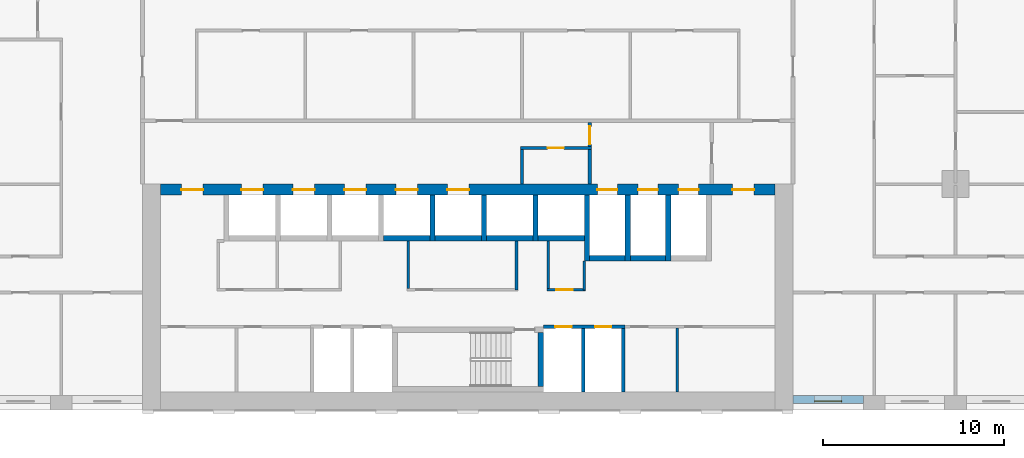
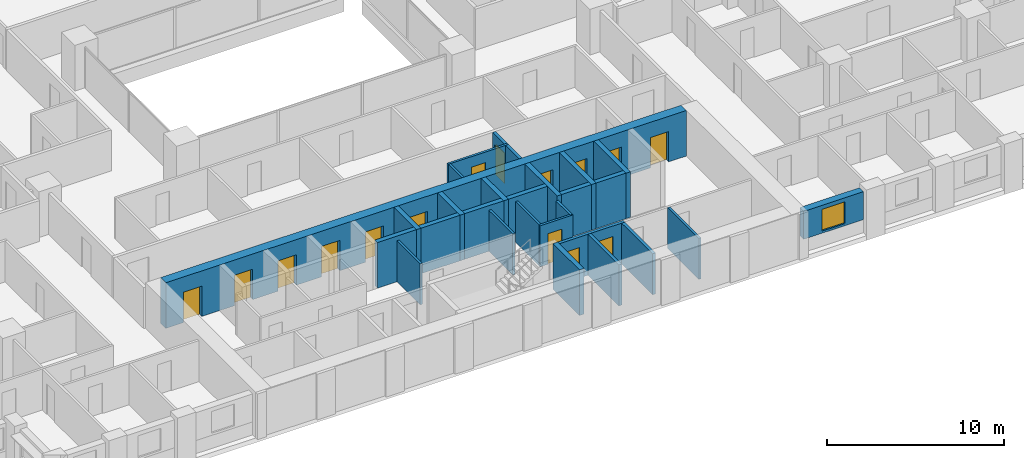
# One storey, part 11 of 19: 28 walls, 15 doors, 1 window, 16 openings.
"""IFC4 building model written with IfcOpenShell, lengths in metres."""

import ifcopenshell
import ifcopenshell.guid

model = None  # the IFC model being written
_history = None  # IfcOwnerHistory: only IFC2X3 demands one
_inside = {}  # id of a spatial element -> (the spatial element, [elements in it])
_under = {}  # id of a project, library or spatial element -> (it, [spatial elements below it])
_declared = {}  # id of a project -> (the project, [libraries it declares])
_typed = {}  # id of a type object -> (the type object, [elements of that type])
_made_of = {}  # id of a material, layer set ... -> (it, [elements and type objects made of it])


def new_model(schema):
    """Start an empty IFC model of exactly this schema.

    Asked for "IFC4X3", IfcOpenShell would pick the latest addendum, in which some entities
    have other attributes; the version numbers below select the first issue.
    IFC2X3 requires an IfcOwnerHistory on every rooted entity: one is made here for all.
    """
    global model, _history
    if schema == "IFC4X3":
        model = ifcopenshell.file(schema_version=(4, 3, 0, 0))
    else:
        model = ifcopenshell.file(schema=schema)
    _inside.clear()
    _under.clear()
    _declared.clear()
    _typed.clear()
    _made_of.clear()
    _history = None
    if model.schema == "IFC2X3":
        org = make("IfcOrganization", Name="unknown")
        user = make(
            "IfcPersonAndOrganization",
            ThePerson=make("IfcPerson", FamilyName="unknown"),
            TheOrganization=org,
        )
        app = make(
            "IfcApplication",
            ApplicationDeveloper=org,
            Version="unknown",
            ApplicationFullName="unknown",
            ApplicationIdentifier="unknown",
        )
        _history = make(
            "IfcOwnerHistory",
            OwningUser=user,
            OwningApplication=app,
            ChangeAction="ADDED",
            CreationDate=0,
        )
    return model


def make(cls, **values):
    """One entity of the class cls with the attributes given. An attribute that is None is left unset."""
    return model.create_entity(
        cls, **{name: value for name, value in values.items() if value is not None}
    )


def rooted(cls, **values):
    """An entity with a GlobalId (a new one), such as an element, a storey or a relation."""
    return make(cls, GlobalId=ifcopenshell.guid.new(), OwnerHistory=_history, **values)


def si_unit(unit_type, name, prefix=None):
    """IfcSIUnit, for example si_unit("LENGTHUNIT", "METRE", prefix="MILLI")."""
    return make("IfcSIUnit", UnitType=unit_type, Prefix=prefix, Name=name)


def assignment(units):
    """IfcUnitAssignment: the units of a project."""
    return None if units is None else make("IfcUnitAssignment", Units=units)


def point(xyz):
    """IfcCartesianPoint."""
    return None if xyz is None else make("IfcCartesianPoint", Coordinates=xyz)


def direction(xyz):
    """IfcDirection."""
    return None if xyz is None else make("IfcDirection", DirectionRatios=xyz)


def frame(location, z_axis=None, x_axis=None):
    """IfcAxis2Placement3D, a coordinate frame: its origin and axes. An axis left out is left unset."""
    return make(
        "IfcAxis2Placement3D",
        Location=point(location),
        Axis=direction(z_axis),
        RefDirection=direction(x_axis),
    )


def frame_2d(location, x_axis=None):
    """IfcAxis2Placement2D, a coordinate frame in the plane: its origin and x axis."""
    return make(
        "IfcAxis2Placement2D", Location=point(location), RefDirection=direction(x_axis)
    )


def origin():
    """The frame at (0, 0, 0) with its axes left unset."""
    return frame((0.0, 0.0, 0.0))


def place(relative_to, where):
    """IfcLocalPlacement: puts the frame where relative to a parent placement (None: the world)."""
    return make(
        "IfcLocalPlacement", PlacementRelTo=relative_to, RelativePlacement=where
    )


def context(
    kind, dimensions, precision=None, world=None, true_north=None, identifier=None
):
    """IfcGeometricRepresentationContext, for example the 3D "Model" context."""
    return make(
        "IfcGeometricRepresentationContext",
        ContextIdentifier=identifier,
        ContextType=kind,
        CoordinateSpaceDimension=dimensions,
        Precision=precision,
        WorldCoordinateSystem=world,
        TrueNorth=true_north,
    )


def subcontext(parent, identifier, kind, view, scale=None):
    """IfcGeometricRepresentationSubContext, for example "Body" below "Model"."""
    return make(
        "IfcGeometricRepresentationSubContext",
        ContextIdentifier=identifier,
        ContextType=kind,
        ParentContext=parent,
        TargetScale=scale,
        TargetView=view,
    )


def project(units=None, contexts=None):
    """IfcProject with its units and contexts."""
    return rooted(
        "IfcProject",
        Name="project",
        RepresentationContexts=contexts,
        UnitsInContext=assignment(units),
    )


def spatial(cls, under=None, at=None, **own):
    """A site, building, storey or space (cls), placed at a placement, below another one or the project."""
    s = rooted(cls, ObjectPlacement=at, **own)
    if under is not None:
        _under.setdefault(under.id(), (under, []))[1].append(s)
    return s


def profile(cls, at=None, kind="AREA", **sizes):
    """A parametric profile (cls). Its sizes go by their IFC names, for example OverallWidth=200.0."""
    return make(cls, ProfileType=kind, Position=at, **sizes)


def rectangle(**sizes):
    """IfcRectangleProfileDef."""
    return profile("IfcRectangleProfileDef", **sizes)


def extrude(swept, where, along, depth):
    """IfcExtrudedAreaSolid: the profile swept, set in the frame where, extruded along a direction by depth."""
    return make(
        "IfcExtrudedAreaSolid",
        SweptArea=swept,
        Position=where,
        ExtrudedDirection=direction(along),
        Depth=depth,
    )


def shape(context_of_items, identifier, shape_type, items):
    """IfcShapeRepresentation: the items that make up one representation, for example the "Body"."""
    return make(
        "IfcShapeRepresentation",
        ContextOfItems=context_of_items,
        RepresentationIdentifier=identifier,
        RepresentationType=shape_type,
        Items=items,
    )


def material(Name=None, Category=None):
    """IfcMaterial."""
    return make("IfcMaterial", Name=Name, Category=Category)


def layer(
    of_material, thickness, ventilated=None, Name=None, Category=None, Priority=None
):
    """IfcMaterialLayer: one layer of a wall or slab, of a material (None: an air gap)."""
    return make(
        "IfcMaterialLayer",
        Material=of_material,
        LayerThickness=thickness,
        IsVentilated=ventilated,
        Name=Name,
        Category=Category,
        Priority=Priority,
    )


def layer_set(layers, Name=None):
    """IfcMaterialLayerSet."""
    return make("IfcMaterialLayerSet", MaterialLayers=layers, LayerSetName=Name)


def made_of(thing, what):
    """Note that an element or type object is made of a material, layer set ...; save() writes the relation."""
    if what is not None:
        _made_of.setdefault(what.id(), (what, []))[1].append(thing)
    return thing


def type_object(cls, material=None, **own):
    """A type object (cls), such as IfcWallType, which elements share."""
    return made_of(rooted(cls, **own), material)


def element(
    cls,
    number,
    at=None,
    inside=None,
    cuts=None,
    type_object=None,
    material=None,
    context=None,
    identifier="Body",
    shape_type=None,
    held_by="IfcProductDefinitionShape",
    body=None,
    shapes=None,
    **own,
):
    """One element of the class cls, such as IfcWall. Its Tag is "e" and its number.

    at: its placement. inside: the storey or other place that contains it. cuts: it is an
    opening in that element (IfcRelVoidsElement). A single representation is given by context,
    identifier, shape_type and body (its items); several are given by shapes. held_by: the class
    of the entity that holds the representations. save() writes the other relations.
    """
    e = rooted(cls, Tag="e%d" % number, ObjectPlacement=at, **own)
    if body is not None:
        shapes = [shape(context, identifier, shape_type, body)]
    if shapes is not None:
        e.Representation = make(held_by, Representations=shapes)
    if inside is not None:
        _inside.setdefault(inside.id(), (inside, []))[1].append(e)
    if cuts is not None:
        rooted(
            "IfcRelVoidsElement", RelatingBuildingElement=cuts, RelatedOpeningElement=e
        )
    if type_object is not None:
        _typed.setdefault(type_object.id(), (type_object, []))[1].append(e)
    return made_of(e, material)


def fill(opening, filler):
    """IfcRelFillsElement: the door or window that sits in an opening."""
    return rooted(
        "IfcRelFillsElement",
        RelatingOpeningElement=opening,
        RelatedBuildingElement=filler,
    )


def aggregate(whole, parts):
    """IfcRelAggregates: a whole, such as a stair, and the parts it consists of."""
    return rooted("IfcRelAggregates", RelatingObject=whole, RelatedObjects=parts)


def save(model, path):
    """Write the relations noted so far, then the file.

    IfcRelAggregates (storeys below a building ...), IfcRelContainedInSpatialStructure (elements
    in a storey), IfcRelDefinesByType, IfcRelAssociatesMaterial and IfcRelDeclares: one each for
    every whole, place, type object, material and project.
    """
    for whole, parts in _under.values():
        aggregate(whole, parts)
    for where, things in _inside.values():
        rooted(
            "IfcRelContainedInSpatialStructure",
            RelatedElements=things,
            RelatingStructure=where,
        )
    for kind, things in _typed.values():
        rooted("IfcRelDefinesByType", RelatedObjects=things, RelatingType=kind)
    for what, things in _made_of.values():
        rooted("IfcRelAssociatesMaterial", RelatedObjects=things, RelatingMaterial=what)
    for by, libraries in _declared.values():
        rooted("IfcRelDeclares", RelatingContext=by, RelatedDefinitions=libraries)
    model.write(path)


model = new_model("IFC4")

# Units and contexts
model_context = context("Model", 3, precision=1e-05, world=origin(), true_north=direction((0.0, 1.0)))
body_context = subcontext(model_context, "Body", "Model", "MODEL_VIEW")
ifc_project = project(units=[si_unit("LENGTHUNIT", "METRE"), si_unit("AREAUNIT", "SQUARE_METRE"), si_unit("VOLUMEUNIT", "CUBIC_METRE"), si_unit("PLANEANGLEUNIT", "RADIAN"), si_unit("MASSUNIT", "GRAM", prefix="KILO")], contexts=[model_context])

# Site, building, storey
site_placement = place(None, origin())
site = spatial("IfcSite", under=ifc_project, at=site_placement, CompositionType="ELEMENT")
building_placement = place(site_placement, origin())
building = spatial("IfcBuilding", under=site, at=building_placement, Name="Brigalow Station Residences", CompositionType="ELEMENT")
storey_placement = place(building_placement, frame((0.0, 0.0, 19.5)))
storey = spatial("IfcBuildingStorey", under=building, at=storey_placement, Name="L04", CompositionType="ELEMENT", Elevation=19.5)

# Wall, opening, window
ifc_material_1 = material(Name="Clay brick masonry", Category="masonry")
ifc_layer_1 = layer(ifc_material_1, 0.449951171875)
ifc_layer_set_1 = layer_set([ifc_layer_1], Name="BRICK INFILL WALL 450")
wall_type_1 = type_object("IfcWallType", Name="BRICK INFILL WALL 450", PredefinedType="SOLIDWALL", material=ifc_layer_set_1)
wall_1_placement = place(storey_placement, frame((54.0, 0.574951171875, 0.89990234375), z_axis=(0.0, 0.0, 1.0), x_axis=(1.0, 0.0, 0.0)))
wall_1 = element("IfcWall", 1, at=wall_1_placement, inside=storey, type_object=wall_type_1, Name="L04/ewall/W-L04-5", PredefinedType="SOLIDWALL", context=body_context, shape_type="SweptSolid", body=[
    extrude(rectangle(XDim=3.89990234375, YDim=0.449951171875, at=frame_2d((1.949951171875, 0.0))), origin(), (0.0, 0.0, 1.0), 1.93017578125),
])
opening_1_placement = place(wall_1_placement, frame((1.199951171875, 0.0, 0.14990234375)))
opening_1 = element("IfcOpeningElement", 2, at=opening_1_placement, cuts=wall_1, Name="Opening WT-1", PredefinedType="OPENING", context=body_context, shape_type="SweptSolid", body=[
    extrude(rectangle(XDim=1.5, YDim=1.5, at=frame_2d((0.75, 0.75))), frame((0.0, 0.23486328125, 0.0), z_axis=(0.0, -1.0, 0.0), x_axis=(1.0, 0.0, 0.0)), (0.0, 0.0, 1.0), 0.469970703125),
])
ifc_material_2 = material(Name="Anodised aluminium frame with double glazing", Category="aluminium")
window_type = type_object("IfcWindowType", Name="WINDOW 1500x1500", PartitioningType="SINGLE_PANEL", PredefinedType="WINDOW", material=ifc_material_2)
window_placement = place(opening_1_placement, origin())
window = element("IfcWindow", 3, at=window_placement, inside=storey, type_object=window_type, Name="L04/window/W-L04-5", OverallHeight=1.5, OverallWidth=1.5, PartitioningType="SINGLE_PANEL", PredefinedType="WINDOW", context=body_context, shape_type="SweptSolid", body=[
    extrude(rectangle(XDim=1.5, YDim=1.5, at=frame_2d((0.75, 0.75))), frame((0.0, -0.06494140625, 0.0), z_axis=(0.0, -1.0, 0.0), x_axis=(1.0, 0.0, 0.0)), (0.0, 0.0, 1.0), 0.06005859375),
])
fill(opening_1, window)

# Walls
ifc_material_3 = material(Name="Concrete C80", Category="concrete")
ifc_layer_2 = layer(ifc_material_3, 0.300048828125)
ifc_layer_set_2 = layer_set([ifc_layer_2], Name="CORE SHEAR WALL 300 C80")
wall_type_2 = type_object("IfcWallType", Name="CORE SHEAR WALL 300 C80", PredefinedType="SHEAR", material=ifc_layer_set_2)
wall_2_placement = place(storey_placement, frame((31.35009765625, 9.5, 0.0), z_axis=(0.0, 0.0, 1.0), x_axis=(1.0, 0.0, 0.0)))
element("IfcWall", 4, at=wall_2_placement, inside=storey, type_object=wall_type_2, Name="CORE WALL SH-P4-S L04", PredefinedType="SHEAR", context=body_context, shape_type="SweptSolid", body=[
    extrude(rectangle(XDim=2.5498046875, YDim=0.300048828125, at=frame_2d((1.27490234375, 0.0))), origin(), (0.0, 0.0, 1.0), 3.14990234375),
])
wall_3_placement = place(storey_placement, frame((34.199951171875, 9.5, 0.0), z_axis=(0.0, 0.0, 1.0), x_axis=(1.0, 0.0, 0.0)))
element("IfcWall", 5, at=wall_3_placement, inside=storey, type_object=wall_type_2, Name="CORE WALL SH-P5-S L04", PredefinedType="SHEAR", context=body_context, shape_type="SweptSolid", body=[
    extrude(rectangle(XDim=2.550048828125, YDim=0.300048828125, at=frame_2d((1.27490234375, 0.0))), origin(), (0.0, 0.0, 1.0), 3.14990234375),
])
wall_4_placement = place(storey_placement, frame((34.050048828125, 9.35009765625, 0.0), z_axis=(0.0, 0.0, 1.0), x_axis=(0.0, 1.0, 0.0)))
element("IfcWall", 6, at=wall_4_placement, inside=storey, type_object=wall_type_2, Name="CORE WALL SH-P5-W L04", PredefinedType="SHEAR", context=body_context, shape_type="SweptSolid", body=[
    extrude(rectangle(XDim=2.5498046875, YDim=0.300048828125, at=frame_2d((1.27490234375, 0.0))), origin(), (0.0, 0.0, 1.0), 3.14990234375),
])
wall_5_placement = place(storey_placement, frame((37.050048828125, 9.5, 0.0), z_axis=(0.0, 0.0, 1.0), x_axis=(1.0, 0.0, 0.0)))
element("IfcWall", 7, at=wall_5_placement, inside=storey, type_object=wall_type_2, Name="CORE WALL SH-X1-S L04", PredefinedType="SHEAR", context=body_context, shape_type="SweptSolid", body=[
    extrude(rectangle(XDim=2.550048828125, YDim=0.300048828125, at=frame_2d((1.27490234375, 0.0))), origin(), (0.0, 0.0, 1.0), 3.14990234375),
])
wall_6_placement = place(storey_placement, frame((36.89990234375, 9.35009765625, 0.0), z_axis=(0.0, 0.0, 1.0), x_axis=(0.0, 1.0, 0.0)))
element("IfcWall", 8, at=wall_6_placement, inside=storey, type_object=wall_type_2, Name="CORE WALL SH-X1-W L04", PredefinedType="SHEAR", context=body_context, shape_type="SweptSolid", body=[
    extrude(rectangle(XDim=2.5498046875, YDim=0.300048828125, at=frame_2d((1.27490234375, 0.0))), origin(), (0.0, 0.0, 1.0), 3.14990234375),
])
wall_7_placement = place(storey_placement, frame((39.89990234375, 9.5, 0.0), z_axis=(0.0, 0.0, 1.0), x_axis=(1.0, 0.0, 0.0)))
element("IfcWall", 9, at=wall_7_placement, inside=storey, type_object=wall_type_2, Name="CORE WALL SH-X2-S L04", PredefinedType="SHEAR", context=body_context, shape_type="SweptSolid", body=[
    extrude(rectangle(XDim=2.550048828125, YDim=0.300048828125, at=frame_2d((1.27490234375, 0.0))), origin(), (0.0, 0.0, 1.0), 3.14990234375),
])
wall_8_placement = place(storey_placement, frame((39.75, 9.35009765625, 0.0), z_axis=(0.0, 0.0, 1.0), x_axis=(0.0, 1.0, 0.0)))
element("IfcWall", 10, at=wall_8_placement, inside=storey, type_object=wall_type_2, Name="CORE WALL SH-X2-W L04", PredefinedType="SHEAR", context=body_context, shape_type="SweptSolid", body=[
    extrude(rectangle(XDim=2.5498046875, YDim=0.300048828125, at=frame_2d((1.27490234375, 0.0))), origin(), (0.0, 0.0, 1.0), 3.14990234375),
])
wall_9_placement = place(storey_placement, frame((42.75, 8.39990234375, 0.0), z_axis=(0.0, 0.0, 1.0), x_axis=(1.0, 0.0, 0.0)))
element("IfcWall", 11, at=wall_9_placement, inside=storey, type_object=wall_type_2, Name="CORE WALL SH-FF1-S L04", PredefinedType="SHEAR", context=body_context, shape_type="SweptSolid", body=[
    extrude(rectangle(XDim=1.949951171875, YDim=0.300048828125, at=frame_2d((0.97509765625, 0.0))), origin(), (0.0, 0.0, 1.0), 3.14990234375),
])
wall_10_placement = place(storey_placement, frame((42.60009765625, 8.25, 0.0), z_axis=(0.0, 0.0, 1.0), x_axis=(0.0, 1.0, 0.0)))
element("IfcWall", 12, at=wall_10_placement, inside=storey, type_object=wall_type_2, Name="CORE WALL SH-FF1-W L04", PredefinedType="SHEAR", context=body_context, shape_type="SweptSolid", body=[
    extrude(rectangle(XDim=3.64990234375, YDim=0.300048828125, at=frame_2d((1.824951171875, 0.0))), origin(), (0.0, 0.0, 1.0), 3.14990234375),
])
wall_11_placement = place(storey_placement, frame((45.0, 8.39990234375, 0.0), z_axis=(0.0, 0.0, 1.0), x_axis=(1.0, 0.0, 0.0)))
element("IfcWall", 13, at=wall_11_placement, inside=storey, type_object=wall_type_2, Name="CORE WALL SH-FF2-S L04", PredefinedType="SHEAR", context=body_context, shape_type="SweptSolid", body=[
    extrude(rectangle(XDim=1.949951171875, YDim=0.300048828125, at=frame_2d((0.97509765625, 0.0))), origin(), (0.0, 0.0, 1.0), 3.14990234375),
])
for number, where, z_axis, x_axis, name in (
    (14, (44.85009765625, 8.25, 0.0), (0.0, 0.0, 1.0), (0.0, 1.0, 0.0), "CORE WALL SH-FF2-W L04"),
    (15, (47.10009765625, 8.25, 0.0), (0.0, 0.0, 1.0), (0.0, 1.0, 0.0), "CORE WALL SH-SL1-W L04"),
):
    element("IfcWall", number, at=place(storey_placement, frame(where, z_axis=z_axis, x_axis=x_axis)), inside=storey, type_object=wall_type_2, Name=name, PredefinedType="SHEAR", context=body_context, shape_type="SweptSolid", body=[
        extrude(rectangle(XDim=3.64990234375, YDim=0.300048828125, at=frame_2d((1.824951171875, 0.0))), origin(), (0.0, 0.0, 1.0), 3.14990234375),
    ])
wall_12_placement = place(storey_placement, frame((40.050048828125, 1.300048828125, 0.0), z_axis=(0.0, 0.0, 1.0), x_axis=(0.0, 1.0, 0.0)))
element("IfcWall", 16, at=wall_12_placement, inside=storey, type_object=wall_type_2, Name="CORE WALL ST-S2-E L04", PredefinedType="SHEAR", context=body_context, shape_type="SweptSolid", body=[
    extrude(rectangle(XDim=3.0, YDim=0.300048828125, at=frame_2d((1.5, 0.0))), origin(), (0.0, 0.0, 1.0), 3.14990234375),
])

# Wall, openings, doors
ifc_material_4 = material(Name="Concrete C80", Category="concrete")
ifc_layer_3 = layer(ifc_material_4, 0.60009765625)
ifc_layer_set_3 = layer_set([ifc_layer_3], Name="CORE SHEAR WALL 600 C80")
wall_type_3 = type_object("IfcWallType", Name="CORE SHEAR WALL 600 C80", PredefinedType="SHEAR", material=ifc_layer_set_3)
wall_13_placement = place(storey_placement, frame((19.0, 12.199951171875, 0.0), z_axis=(0.0, 0.0, 1.0), x_axis=(1.0, 0.0, 0.0)))
wall_13 = element("IfcWall", 17, at=wall_13_placement, inside=storey, type_object=wall_type_3, Name="CORE WALL OUT-N L04", PredefinedType="SHEAR", context=body_context, shape_type="SweptSolid", body=[
    extrude(rectangle(XDim=34.0, YDim=0.60009765625, at=frame_2d((17.0, 0.0))), origin(), (0.0, 0.0, 1.0), 3.14990234375),
])
opening_2_placement = place(wall_13_placement, frame((4.47509765625, 0.0, 0.0)))
opening_2 = element("IfcOpeningElement", 18, at=opening_2_placement, cuts=wall_13, Name="Opening LD-LA1", PredefinedType="OPENING", context=body_context, shape_type="SweptSolid", body=[
    extrude(rectangle(XDim=1.199951171875, YDim=2.10009765625, at=frame_2d((0.60009765625, 1.050048828125))), frame((0.0, 0.31005859375, 0.0), z_axis=(0.0, -1.0, 0.0), x_axis=(1.0, 0.0, 0.0)), (0.0, 0.0, 1.0), 0.6201171875),
])
opening_3_placement = place(wall_13_placement, frame((7.324951171875, 0.0, 0.0)))
opening_3 = element("IfcOpeningElement", 19, at=opening_3_placement, cuts=wall_13, Name="Opening LD-LA2", PredefinedType="OPENING", context=body_context, shape_type="SweptSolid", body=[
    extrude(rectangle(XDim=1.199951171875, YDim=2.10009765625, at=frame_2d((0.60009765625, 1.050048828125))), frame((0.0, 0.31005859375, 0.0), z_axis=(0.0, -1.0, 0.0), x_axis=(1.0, 0.0, 0.0)), (0.0, 0.0, 1.0), 0.6201171875),
])
opening_4_placement = place(wall_13_placement, frame((10.175048828125, 0.0, 0.0)))
opening_4 = element("IfcOpeningElement", 20, at=opening_4_placement, cuts=wall_13, Name="Opening LD-LA3", PredefinedType="OPENING", context=body_context, shape_type="SweptSolid", body=[
    extrude(rectangle(XDim=1.199951171875, YDim=2.10009765625, at=frame_2d((0.60009765625, 1.050048828125))), frame((0.0, 0.31005859375, 0.0), z_axis=(0.0, -1.0, 0.0), x_axis=(1.0, 0.0, 0.0)), (0.0, 0.0, 1.0), 0.6201171875),
])
opening_5_placement = place(wall_13_placement, frame((13.02490234375, 0.0, 0.0)))
opening_5 = element("IfcOpeningElement", 21, at=opening_5_placement, cuts=wall_13, Name="Opening LD-LA4", PredefinedType="OPENING", context=body_context, shape_type="SweptSolid", body=[
    extrude(rectangle(XDim=1.199951171875, YDim=2.10009765625, at=frame_2d((0.60009765625, 1.050048828125))), frame((0.0, 0.31005859375, 0.0), z_axis=(0.0, -1.0, 0.0), x_axis=(1.0, 0.0, 0.0)), (0.0, 0.0, 1.0), 0.6201171875),
])
opening_6_placement = place(wall_13_placement, frame((15.875, 0.0, 0.0)))
opening_6 = element("IfcOpeningElement", 22, at=opening_6_placement, cuts=wall_13, Name="Opening LD-LA5", PredefinedType="OPENING", context=body_context, shape_type="SweptSolid", body=[
    extrude(rectangle(XDim=1.199951171875, YDim=2.10009765625, at=frame_2d((0.60009765625, 1.050048828125))), frame((0.0, 0.31005859375, 0.0), z_axis=(0.0, -1.0, 0.0), x_axis=(1.0, 0.0, 0.0)), (0.0, 0.0, 1.0), 0.6201171875),
])
opening_7_placement = place(wall_13_placement, frame((24.175048828125, 0.0, 0.0)))
opening_7 = element("IfcOpeningElement", 23, at=opening_7_placement, cuts=wall_13, Name="Opening LD-LF1", PredefinedType="OPENING", context=body_context, shape_type="SweptSolid", body=[
    extrude(rectangle(XDim=1.10009765625, YDim=2.10009765625, at=frame_2d((0.550048828125, 1.050048828125))), frame((0.0, 0.31005859375, 0.0), z_axis=(0.0, -1.0, 0.0), x_axis=(1.0, 0.0, 0.0)), (0.0, 0.0, 1.0), 0.6201171875),
])
opening_8_placement = place(wall_13_placement, frame((26.425048828125, 0.0, 0.0)))
opening_8 = element("IfcOpeningElement", 24, at=opening_8_placement, cuts=wall_13, Name="Opening LD-LF2", PredefinedType="OPENING", context=body_context, shape_type="SweptSolid", body=[
    extrude(rectangle(XDim=1.10009765625, YDim=2.10009765625, at=frame_2d((0.550048828125, 1.050048828125))), frame((0.0, 0.31005859375, 0.0), z_axis=(0.0, -1.0, 0.0), x_axis=(1.0, 0.0, 0.0)), (0.0, 0.0, 1.0), 0.6201171875),
])
opening_9_placement = place(wall_13_placement, frame((28.675048828125, 0.0, 0.0)))
opening_9 = element("IfcOpeningElement", 25, at=opening_9_placement, cuts=wall_13, Name="Opening LD-LG1", PredefinedType="OPENING", context=body_context, shape_type="SweptSolid", body=[
    extrude(rectangle(XDim=1.10009765625, YDim=2.10009765625, at=frame_2d((0.550048828125, 1.050048828125))), frame((0.0, 0.31005859375, 0.0), z_axis=(0.0, -1.0, 0.0), x_axis=(1.0, 0.0, 0.0)), (0.0, 0.0, 1.0), 0.6201171875),
])
opening_10_placement = place(wall_13_placement, frame((1.14990234375, 0.0, 0.0)))
opening_10 = element("IfcOpeningElement", 26, at=opening_10_placement, cuts=wall_13, Name="Opening D-5011", PredefinedType="OPENING", context=body_context, shape_type="SweptSolid", body=[
    extrude(rectangle(XDim=1.199951171875, YDim=2.10009765625, at=frame_2d((0.60009765625, 1.050048828125))), frame((0.0, 0.31005859375, 0.0), z_axis=(0.0, -1.0, 0.0), x_axis=(1.0, 0.0, 0.0)), (0.0, 0.0, 1.0), 0.6201171875),
])
opening_11_placement = place(wall_13_placement, frame((31.64990234375, 0.0, 0.0)))
opening_11 = element("IfcOpeningElement", 27, at=opening_11_placement, cuts=wall_13, Name="Opening D-5012", PredefinedType="OPENING", context=body_context, shape_type="SweptSolid", body=[
    extrude(rectangle(XDim=1.199951171875, YDim=2.10009765625, at=frame_2d((0.60009765625, 1.050048828125))), frame((0.0, 0.31005859375, 0.0), z_axis=(0.0, -1.0, 0.0), x_axis=(1.0, 0.0, 0.0)), (0.0, 0.0, 1.0), 0.6201171875),
])
ifc_material_5 = material(Name="Steel fire door leaf in steel frame", Category="steel")
door_type_1 = type_object("IfcDoorType", Name="CORE CORRIDOR DOOR 1200 x 2100 FD60S", OperationType="SINGLE_SWING_LEFT", PredefinedType="DOOR", material=ifc_material_5)
door_1_placement = place(opening_10_placement, frame((1.199951171875, 0.0, 0.0), z_axis=(0.0, 0.0, 1.0), x_axis=(-1.0, 0.0, 0.0)))
door_1 = element("IfcDoor", 28, at=door_1_placement, inside=storey, type_object=door_type_1, Name="D-5011", OperationType="SINGLE_SWING_LEFT", OverallHeight=2.10009765625, OverallWidth=1.199951171875, PredefinedType="DOOR", context=body_context, shape_type="SweptSolid", body=[
    extrude(rectangle(XDim=1.199951171875, YDim=2.10009765625, at=frame_2d((0.60009765625, 1.050048828125))), frame((0.0, 0.02490234375, 0.0), z_axis=(0.0, -1.0, 0.0), x_axis=(1.0, 0.0, 0.0)), (0.0, 0.0, 1.0), 0.050048828125),
])
fill(opening_10, door_1)
door_2_placement = place(opening_11_placement, frame((1.199951171875, 0.0, 0.0), z_axis=(0.0, 0.0, 1.0), x_axis=(-1.0, 0.0, 0.0)))
door_2 = element("IfcDoor", 29, at=door_2_placement, inside=storey, type_object=door_type_1, Name="D-5012", OperationType="SINGLE_SWING_RIGHT", OverallHeight=2.10009765625, OverallWidth=1.199951171875, PredefinedType="DOOR", context=body_context, shape_type="SweptSolid", body=[
    extrude(rectangle(XDim=1.199951171875, YDim=2.10009765625, at=frame_2d((0.60009765625, 1.050048828125))), frame((0.0, 0.02490234375, 0.0), z_axis=(0.0, -1.0, 0.0), x_axis=(1.0, 0.0, 0.0)), (0.0, 0.0, 1.0), 0.050048828125),
])
fill(opening_11, door_2)
ifc_material_6 = material(Name="Stainless steel sliding door leaves", Category="steel")
door_type_2 = type_object("IfcDoorType", Name="LIFT LANDING DOOR 1100 x 2100", OperationType="DOUBLE_DOOR_SLIDING", PredefinedType="DOOR", material=ifc_material_6)
door_3_placement = place(opening_7_placement, origin())
door_3 = element("IfcDoor", 30, at=door_3_placement, inside=storey, type_object=door_type_2, Name="LANDING DOOR LF1", OperationType="DOUBLE_DOOR_SLIDING", OverallHeight=2.10009765625, OverallWidth=1.10009765625, PredefinedType="DOOR", context=body_context, shape_type="SweptSolid", body=[
    extrude(rectangle(XDim=1.10009765625, YDim=2.10009765625, at=frame_2d((0.550048828125, 1.050048828125))), frame((0.0, 0.02490234375, 0.0), z_axis=(0.0, -1.0, 0.0), x_axis=(1.0, 0.0, 0.0)), (0.0, 0.0, 1.0), 0.050048828125),
])
fill(opening_7, door_3)
door_4_placement = place(opening_8_placement, origin())
door_4 = element("IfcDoor", 31, at=door_4_placement, inside=storey, type_object=door_type_2, Name="LANDING DOOR LF2", OperationType="DOUBLE_DOOR_SLIDING", OverallHeight=2.10009765625, OverallWidth=1.10009765625, PredefinedType="DOOR", context=body_context, shape_type="SweptSolid", body=[
    extrude(rectangle(XDim=1.10009765625, YDim=2.10009765625, at=frame_2d((0.550048828125, 1.050048828125))), frame((0.0, 0.02490234375, 0.0), z_axis=(0.0, -1.0, 0.0), x_axis=(1.0, 0.0, 0.0)), (0.0, 0.0, 1.0), 0.050048828125),
])
fill(opening_8, door_4)
door_5_placement = place(opening_9_placement, origin())
door_5 = element("IfcDoor", 32, at=door_5_placement, inside=storey, type_object=door_type_2, Name="LANDING DOOR LG1", OperationType="DOUBLE_DOOR_SLIDING", OverallHeight=2.10009765625, OverallWidth=1.10009765625, PredefinedType="DOOR", context=body_context, shape_type="SweptSolid", body=[
    extrude(rectangle(XDim=1.10009765625, YDim=2.10009765625, at=frame_2d((0.550048828125, 1.050048828125))), frame((0.0, 0.02490234375, 0.0), z_axis=(0.0, -1.0, 0.0), x_axis=(1.0, 0.0, 0.0)), (0.0, 0.0, 1.0), 0.050048828125),
])
fill(opening_9, door_5)
ifc_material_7 = material(Name="Stainless steel sliding door leaves", Category="steel")
door_type_3 = type_object("IfcDoorType", Name="LIFT LANDING DOOR 1200 x 2100", OperationType="DOUBLE_DOOR_SLIDING", PredefinedType="DOOR", material=ifc_material_7)
door_6_placement = place(opening_2_placement, origin())
door_6 = element("IfcDoor", 33, at=door_6_placement, inside=storey, type_object=door_type_3, Name="LANDING DOOR LA1", OperationType="DOUBLE_DOOR_SLIDING", OverallHeight=2.10009765625, OverallWidth=1.199951171875, PredefinedType="DOOR", context=body_context, shape_type="SweptSolid", body=[
    extrude(rectangle(XDim=1.199951171875, YDim=2.10009765625, at=frame_2d((0.60009765625, 1.050048828125))), frame((0.0, 0.02490234375, 0.0), z_axis=(0.0, -1.0, 0.0), x_axis=(1.0, 0.0, 0.0)), (0.0, 0.0, 1.0), 0.050048828125),
])
fill(opening_2, door_6)
door_7_placement = place(opening_3_placement, origin())
door_7 = element("IfcDoor", 34, at=door_7_placement, inside=storey, type_object=door_type_3, Name="LANDING DOOR LA2", OperationType="DOUBLE_DOOR_SLIDING", OverallHeight=2.10009765625, OverallWidth=1.199951171875, PredefinedType="DOOR", context=body_context, shape_type="SweptSolid", body=[
    extrude(rectangle(XDim=1.199951171875, YDim=2.10009765625, at=frame_2d((0.60009765625, 1.050048828125))), frame((0.0, 0.02490234375, 0.0), z_axis=(0.0, -1.0, 0.0), x_axis=(1.0, 0.0, 0.0)), (0.0, 0.0, 1.0), 0.050048828125),
])
fill(opening_3, door_7)
door_8_placement = place(opening_4_placement, origin())
door_8 = element("IfcDoor", 35, at=door_8_placement, inside=storey, type_object=door_type_3, Name="LANDING DOOR LA3", OperationType="DOUBLE_DOOR_SLIDING", OverallHeight=2.10009765625, OverallWidth=1.199951171875, PredefinedType="DOOR", context=body_context, shape_type="SweptSolid", body=[
    extrude(rectangle(XDim=1.199951171875, YDim=2.10009765625, at=frame_2d((0.60009765625, 1.050048828125))), frame((0.0, 0.02490234375, 0.0), z_axis=(0.0, -1.0, 0.0), x_axis=(1.0, 0.0, 0.0)), (0.0, 0.0, 1.0), 0.050048828125),
])
fill(opening_4, door_8)
door_9_placement = place(opening_5_placement, origin())
door_9 = element("IfcDoor", 36, at=door_9_placement, inside=storey, type_object=door_type_3, Name="LANDING DOOR LA4", OperationType="DOUBLE_DOOR_SLIDING", OverallHeight=2.10009765625, OverallWidth=1.199951171875, PredefinedType="DOOR", context=body_context, shape_type="SweptSolid", body=[
    extrude(rectangle(XDim=1.199951171875, YDim=2.10009765625, at=frame_2d((0.60009765625, 1.050048828125))), frame((0.0, 0.02490234375, 0.0), z_axis=(0.0, -1.0, 0.0), x_axis=(1.0, 0.0, 0.0)), (0.0, 0.0, 1.0), 0.050048828125),
])
fill(opening_5, door_9)
door_10_placement = place(opening_6_placement, origin())
door_10 = element("IfcDoor", 37, at=door_10_placement, inside=storey, type_object=door_type_3, Name="LANDING DOOR LA5", OperationType="DOUBLE_DOOR_SLIDING", OverallHeight=2.10009765625, OverallWidth=1.199951171875, PredefinedType="DOOR", context=body_context, shape_type="SweptSolid", body=[
    extrude(rectangle(XDim=1.199951171875, YDim=2.10009765625, at=frame_2d((0.60009765625, 1.050048828125))), frame((0.0, 0.02490234375, 0.0), z_axis=(0.0, -1.0, 0.0), x_axis=(1.0, 0.0, 0.0)), (0.0, 0.0, 1.0), 0.050048828125),
])
fill(opening_6, door_10)

ifc_material_8 = material(Name="Concrete blockwork", Category="masonry")
ifc_layer_4 = layer(ifc_material_8, 0.199951171875)
ifc_layer_set_4 = layer_set([ifc_layer_4], Name="FIRE RATED CORE PARTITION 200")
wall_type_4 = type_object("IfcWallType", Name="FIRE RATED CORE PARTITION 200", PredefinedType="PARTITIONING", material=ifc_layer_set_4)
wall_14_placement = place(storey_placement, frame((40.199951171875, 4.60009765625, 0.0), z_axis=(0.0, 0.0, 1.0), x_axis=(1.0, 0.0, 0.0)))
wall_14 = element("IfcWall", 38, at=wall_14_placement, inside=storey, type_object=wall_type_4, Name="PW-5018", PredefinedType="PARTITIONING", context=body_context, shape_type="SweptSolid", body=[
    extrude(rectangle(XDim=4.5, YDim=0.199951171875, at=frame_2d((2.25, 0.0))), origin(), (0.0, 0.0, 1.0), 2.830078125),
])
opening_12_placement = place(wall_14_placement, frame((0.64990234375, 0.0, 0.0)))
opening_12 = element("IfcOpeningElement", 39, at=opening_12_placement, cuts=wall_14, Name="Opening D-5009", PredefinedType="OPENING", context=body_context, shape_type="SweptSolid", body=[
    extrude(rectangle(XDim=0.89990234375, YDim=2.10009765625, at=frame_2d((0.449951171875, 1.050048828125))), frame((0.0, 0.10986328125, 0.0), z_axis=(0.0, -1.0, 0.0), x_axis=(1.0, 0.0, 0.0)), (0.0, 0.0, 1.0), 0.219970703125),
])
opening_13_placement = place(wall_14_placement, frame((2.85009765625, 0.0, 0.0)))
opening_13 = element("IfcOpeningElement", 40, at=opening_13_placement, cuts=wall_14, Name="Opening D-5010", PredefinedType="OPENING", context=body_context, shape_type="SweptSolid", body=[
    extrude(rectangle(XDim=0.89990234375, YDim=2.10009765625, at=frame_2d((0.449951171875, 1.050048828125))), frame((0.0, 0.10986328125, 0.0), z_axis=(0.0, -1.0, 0.0), x_axis=(1.0, 0.0, 0.0)), (0.0, 0.0, 1.0), 0.219970703125),
])
ifc_material_9 = material(Name="Steel fire door leaf in steel frame", Category="steel")
door_type_4 = type_object("IfcDoorType", Name="RISER ACCESS DOOR 900 x 2100 FD120", OperationType="SINGLE_SWING_LEFT", PredefinedType="DOOR", material=ifc_material_9)
door_11_placement = place(opening_12_placement, frame((0.89990234375, 0.0, 0.0), z_axis=(0.0, 0.0, 1.0), x_axis=(-1.0, 0.0, 0.0)))
door_11 = element("IfcDoor", 41, at=door_11_placement, inside=storey, type_object=door_type_4, Name="D-5009", OperationType="SINGLE_SWING_LEFT", OverallHeight=2.10009765625, OverallWidth=0.89990234375, PredefinedType="DOOR", context=body_context, shape_type="SweptSolid", body=[
    extrude(rectangle(XDim=0.89990234375, YDim=2.10009765625, at=frame_2d((0.449951171875, 1.050048828125))), frame((0.0, 0.02490234375, 0.0), z_axis=(0.0, -1.0, 0.0), x_axis=(1.0, 0.0, 0.0)), (0.0, 0.0, 1.0), 0.050048828125),
])
fill(opening_12, door_11)
door_12_placement = place(opening_13_placement, frame((0.89990234375, 0.0, 0.0), z_axis=(0.0, 0.0, 1.0), x_axis=(-1.0, 0.0, 0.0)))
door_12 = element("IfcDoor", 42, at=door_12_placement, inside=storey, type_object=door_type_4, Name="D-5010", OperationType="SINGLE_SWING_LEFT", OverallHeight=2.10009765625, OverallWidth=0.89990234375, PredefinedType="DOOR", context=body_context, shape_type="SweptSolid", body=[
    extrude(rectangle(XDim=0.89990234375, YDim=2.10009765625, at=frame_2d((0.449951171875, 1.050048828125))), frame((0.0, 0.02490234375, 0.0), z_axis=(0.0, -1.0, 0.0), x_axis=(1.0, 0.0, 0.0)), (0.0, 0.0, 1.0), 0.050048828125),
])
fill(opening_13, door_12)

# Walls
for number, where, z_axis, x_axis, name in (
    (43, (42.39990234375, 1.0, 0.0), (0.0, 0.0, 1.0), (0.0, 1.0, 0.0), "PW-5007"),
    (44, (44.60009765625, 1.0, 0.0), (0.0, 0.0, 1.0), (0.0, 1.0, 0.0), "PW-5008"),
):
    element("IfcWall", number, at=place(storey_placement, frame(where, z_axis=z_axis, x_axis=x_axis)), inside=storey, type_object=wall_type_4, Name=name, PredefinedType="PARTITIONING", context=body_context, shape_type="SweptSolid", body=[
        extrude(rectangle(XDim=3.5, YDim=0.199951171875, at=frame_2d((1.75, 0.0))), origin(), (0.0, 0.0, 1.0), 2.830078125),
    ])
wall_15_placement = place(storey_placement, frame((42.75, 12.5, 0.0), z_axis=(0.0, 0.0, 1.0), x_axis=(0.0, 1.0, 0.0)))
element("IfcWall", 45, at=wall_15_placement, inside=storey, type_object=wall_type_4, Name="PW-5046", PredefinedType="PARTITIONING", context=body_context, shape_type="SweptSolid", body=[
    extrude(rectangle(XDim=1.925048828125, YDim=0.199951171875, at=frame_2d((0.96240234375, 0.0))), origin(), (0.0, 0.0, 1.0), 2.830078125),
])

# Wall, opening, door
wall_16_placement = place(storey_placement, frame((42.75, 14.574951171875, 0.0), z_axis=(0.0, 0.0, 1.0), x_axis=(0.0, 1.0, 0.0)))
wall_16 = element("IfcWall", 46, at=wall_16_placement, inside=storey, type_object=wall_type_4, Name="PW-5047", PredefinedType="PARTITIONING", context=body_context, shape_type="SweptSolid", body=[
    extrude(rectangle(XDim=1.324951171875, YDim=0.199951171875, at=frame_2d((0.66259765625, 0.0))), origin(), (0.0, 0.0, 1.0), 2.830078125),
])
opening_14_placement = place(wall_16_placement, frame((0.125, 0.0, 0.0)))
opening_14 = element("IfcOpeningElement", 47, at=opening_14_placement, cuts=wall_16, Name="Opening D-5013", PredefinedType="OPENING", context=body_context, shape_type="SweptSolid", body=[
    extrude(rectangle(XDim=1.0, YDim=2.10009765625, at=frame_2d((0.5, 1.050048828125))), frame((0.0, 0.10986328125, 0.0), z_axis=(0.0, -1.0, 0.0), x_axis=(1.0, 0.0, 0.0)), (0.0, 0.0, 1.0), 0.219970703125),
])
ifc_material_10 = material(Name="Steel fire door leaf in steel frame", Category="steel")
door_type_5 = type_object("IfcDoorType", Name="LOBBY DOOR 1000 x 2100 FD60S", OperationType="SINGLE_SWING_LEFT", PredefinedType="DOOR", material=ifc_material_10)
door_13_placement = place(opening_14_placement, origin())
door_13 = element("IfcDoor", 48, at=door_13_placement, inside=storey, type_object=door_type_5, Name="D-5013", OperationType="SINGLE_SWING_LEFT", OverallHeight=2.10009765625, OverallWidth=1.0, PredefinedType="DOOR", context=body_context, shape_type="SweptSolid", body=[
    extrude(rectangle(XDim=1.0, YDim=2.10009765625, at=frame_2d((0.5, 1.050048828125))), frame((0.0, 0.02490234375, 0.0), z_axis=(0.0, -1.0, 0.0), x_axis=(1.0, 0.0, 0.0)), (0.0, 0.0, 1.0), 0.050048828125),
])
fill(opening_14, door_13)

ifc_material_11 = material(Name="Plasterboard on steel studs", Category="steel")
ifc_layer_5 = layer(ifc_material_11, 0.14990234375)
ifc_layer_set_5 = layer_set([ifc_layer_5], Name="SERVICE ROOM PARTITION 150")
wall_type_5 = type_object("IfcWallType", Name="SERVICE ROOM PARTITION 150", PredefinedType="PARTITIONING", material=ifc_layer_set_5)
wall_17_placement = place(storey_placement, frame((40.375, 6.64990234375, 0.0), z_axis=(0.0, 0.0, 1.0), x_axis=(1.0, 0.0, 0.0)))
wall_17 = element("IfcWall", 49, at=wall_17_placement, inside=storey, type_object=wall_type_5, Name="PW-5128", PredefinedType="PARTITIONING", context=body_context, shape_type="SweptSolid", body=[
    extrude(rectangle(XDim=2.14990234375, YDim=0.14990234375, at=frame_2d((1.074951171875, 0.0))), origin(), (0.0, 0.0, 1.0), 2.830078125),
])
opening_15_placement = place(wall_17_placement, frame((0.52490234375, 0.0, 0.0)))
opening_15 = element("IfcOpeningElement", 50, at=opening_15_placement, cuts=wall_17, Name="Opening D-5034", PredefinedType="OPENING", context=body_context, shape_type="SweptSolid", body=[
    extrude(rectangle(XDim=0.89990234375, YDim=2.10009765625, at=frame_2d((0.449951171875, 1.050048828125))), frame((0.0, 0.0849609375, 0.0), z_axis=(0.0, -1.0, 0.0), x_axis=(1.0, 0.0, 0.0)), (0.0, 0.0, 1.0), 0.169921875),
])
ifc_material_12 = material(Name="Steel door leaf in steel frame", Category="steel")
door_type_6 = type_object("IfcDoorType", Name="SERVICE ROOM DOOR 900 x 2100 FD60", OperationType="SINGLE_SWING_LEFT", PredefinedType="DOOR", material=ifc_material_12)
door_14_placement = place(opening_15_placement, origin())
door_14 = element("IfcDoor", 51, at=door_14_placement, inside=storey, type_object=door_type_6, Name="D-5034", OperationType="SINGLE_SWING_LEFT", OverallHeight=2.10009765625, OverallWidth=0.89990234375, PredefinedType="DOOR", context=body_context, shape_type="SweptSolid", body=[
    extrude(rectangle(XDim=0.89990234375, YDim=2.10009765625, at=frame_2d((0.449951171875, 1.050048828125))), frame((0.0, 0.02490234375, 0.0), z_axis=(0.0, -1.0, 0.0), x_axis=(1.0, 0.0, 0.0)), (0.0, 0.0, 1.0), 0.050048828125),
])
fill(opening_15, door_14)

wall_18_placement = place(storey_placement, frame((38.925048828125, 14.5, 0.0), z_axis=(0.0, 0.0, 1.0), x_axis=(1.0, 0.0, 0.0)))
wall_18 = element("IfcWall", 52, at=wall_18_placement, inside=storey, type_object=wall_type_5, Name="PW-5129", PredefinedType="PARTITIONING", context=body_context, shape_type="SweptSolid", body=[
    extrude(rectangle(XDim=3.925048828125, YDim=0.14990234375, at=frame_2d((1.96240234375, 0.0))), origin(), (0.0, 0.0, 1.0), 2.830078125),
])
opening_16_placement = place(wall_18_placement, frame((1.5, 0.0, 0.0)))
opening_16 = element("IfcOpeningElement", 53, at=opening_16_placement, cuts=wall_18, Name="Opening D-5076", PredefinedType="OPENING", context=body_context, shape_type="SweptSolid", body=[
    extrude(rectangle(XDim=0.89990234375, YDim=2.10009765625, at=frame_2d((0.449951171875, 1.050048828125))), frame((0.0, 0.0849609375, 0.0), z_axis=(0.0, -1.0, 0.0), x_axis=(1.0, 0.0, 0.0)), (0.0, 0.0, 1.0), 0.169921875),
])
door_15_placement = place(opening_16_placement, frame((0.89990234375, 0.0, 0.0), z_axis=(0.0, 0.0, 1.0), x_axis=(-1.0, 0.0, 0.0)))
door_15 = element("IfcDoor", 54, at=door_15_placement, inside=storey, type_object=door_type_6, Name="D-5076", OperationType="SINGLE_SWING_LEFT", OverallHeight=2.10009765625, OverallWidth=0.89990234375, PredefinedType="DOOR", context=body_context, shape_type="SweptSolid", body=[
    extrude(rectangle(XDim=0.89990234375, YDim=2.10009765625, at=frame_2d((0.449951171875, 1.050048828125))), frame((0.0, 0.02490234375, 0.0), z_axis=(0.0, -1.0, 0.0), x_axis=(1.0, 0.0, 0.0)), (0.0, 0.0, 1.0), 0.050048828125),
])
fill(opening_16, door_15)

# Walls
wall_19_placement = place(storey_placement, frame((47.60009765625, 1.0, 0.0), z_axis=(0.0, 0.0, 1.0), x_axis=(0.0, 1.0, 0.0)))
element("IfcWall", 55, at=wall_19_placement, inside=storey, type_object=wall_type_5, Name="PW-5131", PredefinedType="PARTITIONING", context=body_context, shape_type="SweptSolid", body=[
    extrude(rectangle(XDim=3.52490234375, YDim=0.14990234375, at=frame_2d((1.762451171875, 0.0))), origin(), (0.0, 0.0, 1.0), 2.830078125),
])
wall_20_placement = place(storey_placement, frame((38.699951171875, 6.64990234375, 0.0), z_axis=(0.0, 0.0, 1.0), x_axis=(0.0, 1.0, 0.0)))
element("IfcWall", 56, at=wall_20_placement, inside=storey, type_object=wall_type_5, Name="PW-5132", PredefinedType="PARTITIONING", context=body_context, shape_type="SweptSolid", body=[
    extrude(rectangle(XDim=2.7001953125, YDim=0.14990234375, at=frame_2d((1.35009765625, 0.0))), origin(), (0.0, 0.0, 1.0), 2.830078125),
])
wall_21_placement = place(storey_placement, frame((42.449951171875, 6.64990234375, 0.0), z_axis=(0.0, 0.0, 1.0), x_axis=(0.0, 1.0, 0.0)))
element("IfcWall", 57, at=wall_21_placement, inside=storey, type_object=wall_type_5, Name="PW-5029", PredefinedType="PARTITIONING", context=body_context, shape_type="SweptSolid", body=[
    extrude(rectangle(XDim=1.60009765625, YDim=0.14990234375, at=frame_2d((0.800048828125, 0.0))), origin(), (0.0, 0.0, 1.0), 2.830078125),
])
for number, where, z_axis, x_axis, name in (
    (58, (32.699951171875, 6.72509765625, 0.0), (0.0, 0.0, 1.0), (0.0, 1.0, 0.0), "PW-5135"),
    (59, (40.449951171875, 6.72509765625, 0.0), (0.0, 0.0, 1.0), (0.0, 1.0, 0.0), "PW-5044"),
):
    element("IfcWall", number, at=place(storey_placement, frame(where, z_axis=z_axis, x_axis=x_axis)), inside=storey, type_object=wall_type_5, Name=name, PredefinedType="PARTITIONING", context=body_context, shape_type="SweptSolid", body=[
        extrude(rectangle(XDim=2.625, YDim=0.14990234375, at=frame_2d((1.3125, 0.0))), origin(), (0.0, 0.0, 1.0), 2.830078125),
    ])
wall_22_placement = place(storey_placement, frame((39.0, 12.5, 0.0), z_axis=(0.0, 0.0, 1.0), x_axis=(0.0, 1.0, 0.0)))
element("IfcWall", 60, at=wall_22_placement, inside=storey, type_object=wall_type_5, Name="PW-5136", PredefinedType="PARTITIONING", context=body_context, shape_type="SweptSolid", body=[
    extrude(rectangle(XDim=1.925048828125, YDim=0.14990234375, at=frame_2d((0.96240234375, 0.0))), origin(), (0.0, 0.0, 1.0), 2.830078125),
])

save(model, "model.ifc")
